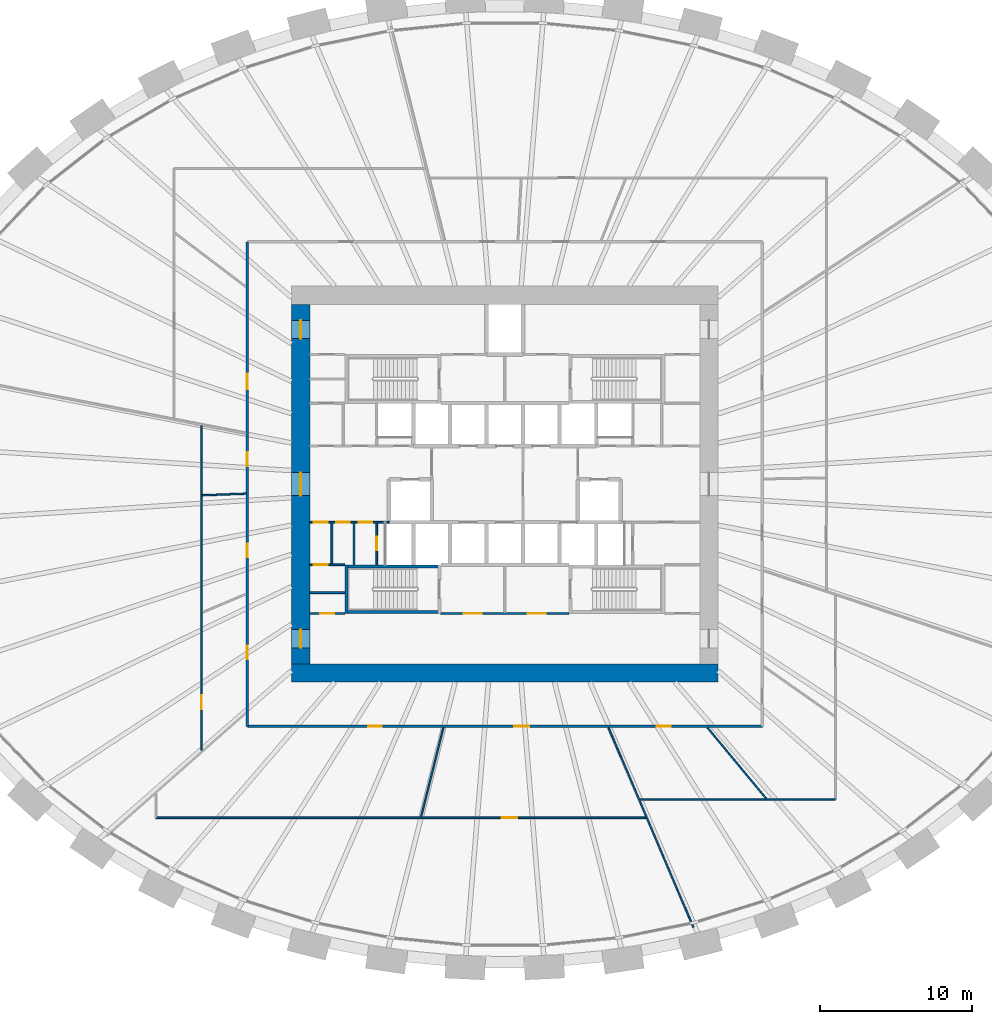
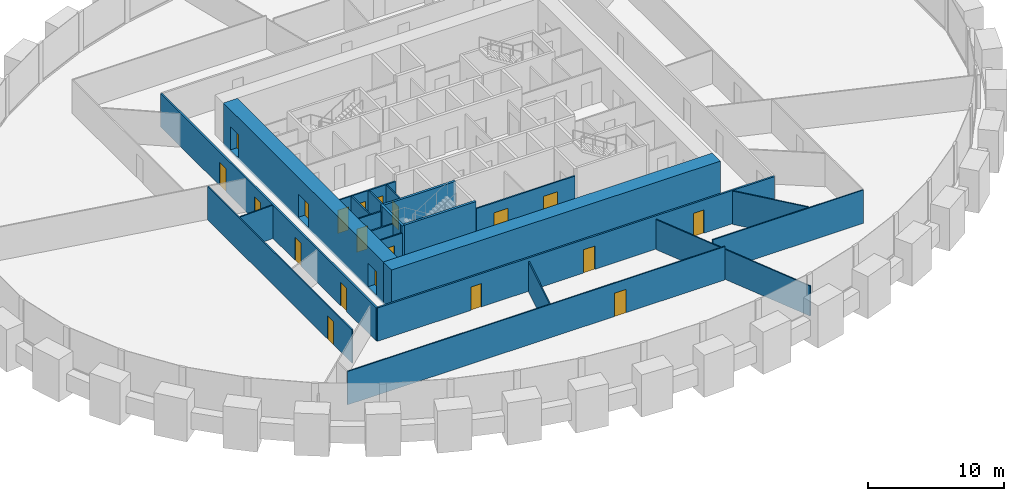
# One storey, part 6 of 10: 22 walls, 20 doors, 20 openings.
"""IFC4 building model written with IfcOpenShell, lengths in metres."""

from ifc_helpers import new_model, si_unit, direction, frame, frame_2d, origin, place, context, subcontext, project, spatial, rectangle, extrude, source, transform, mapped, material, layer, layer_set, type_object, element, fill, save


model = new_model("IFC4")

# Units and contexts
model_context = context("Model", 3, precision=1e-05, world=origin(), true_north=direction((0.0, 1.0)))
body_context = subcontext(model_context, "Body", "Model", "MODEL_VIEW")
ifc_project = project(units=[si_unit("LENGTHUNIT", "METRE"), si_unit("AREAUNIT", "SQUARE_METRE"), si_unit("VOLUMEUNIT", "CUBIC_METRE"), si_unit("PLANEANGLEUNIT", "RADIAN"), si_unit("MASSUNIT", "GRAM", prefix="KILO")], contexts=[model_context])

# Site, building, storey
site_placement = place(None, origin())
site = spatial("IfcSite", under=ifc_project, at=site_placement, CompositionType="ELEMENT")
building_placement = place(site_placement, origin())
building = spatial("IfcBuilding", under=site, at=building_placement, Name="Embergate Tower", CompositionType="ELEMENT")
storey_placement = place(building_placement, frame((0.0, 0.0, 97.10009765625)))
storey = spatial("IfcBuildingStorey", under=building, at=storey_placement, Name="L20", CompositionType="ELEMENT", Elevation=97.10009765625)

# Wall
ifc_material_1 = material(Name="Concrete C80", Category="concrete")
ifc_layer_1 = layer(ifc_material_1, 1.199951171875)
ifc_layer_set_1 = layer_set([ifc_layer_1], Name="Concrete C80")
wall_type_1 = type_object("IfcWallType", Name="Core outer wall C80 1200", PredefinedType="SHEAR", material=ifc_layer_set_1)
shared_shape_1 = source(origin(), body_context, "Body", "SweptSolid", [
    extrude(rectangle(XDim=28.0, YDim=1.199951171875, at=frame_2d((14.0, 0.0))), origin(), (0.0, 0.0, 1.0), 3.800048828125),
])
wall_1_placement = place(storey_placement, frame((-14.0, -12.39990234375, -0.2001953125), z_axis=(0.0, 0.0, 1.0), x_axis=(1.0, 0.0, 0.0)))
element("IfcWall", 1, at=wall_1_placement, inside=storey, type_object=wall_type_1, Name="CW-L20-S", PredefinedType="SHEAR", context=body_context, shape_type="MappedRepresentation", body=[
    mapped(shared_shape_1, transform((0.0, 0.0, 0.0))),
])

# Wall, openings, doors
shared_shape_2 = source(origin(), body_context, "Body", "SweptSolid", [
    extrude(rectangle(XDim=23.60009765625, YDim=1.199951171875, at=frame_2d((11.800048828125, 0.0))), origin(), (0.0, 0.0, 1.0), 3.800048828125),
])
wall_2_placement = place(storey_placement, frame((-13.39990234375, -11.800048828125, -0.2001953125), z_axis=(0.0, 0.0, 1.0), x_axis=(0.0, 1.0, 0.0)))
wall_2 = element("IfcWall", 2, at=wall_2_placement, inside=storey, type_object=wall_type_1, Name="CW-L20-W", PredefinedType="SHEAR", context=body_context, shape_type="MappedRepresentation", body=[
    mapped(shared_shape_2, transform((0.0, 0.0, 0.0))),
])
shared_shape_3 = source(origin(), body_context, "Body", "SweptSolid", [
    extrude(rectangle(XDim=1.199951171875, YDim=2.10009765625, at=frame_2d((0.60009765625, 1.050048828125))), frame((0.0, 0.60986328125, 0.0), z_axis=(0.0, -1.0, 0.0), x_axis=(1.0, 0.0, 0.0)), (0.0, 0.0, 1.0), 1.219970703125),
])
opening_1_placement = place(wall_2_placement, frame((21.35009765625, 0.0, 0.199951171875)))
opening_1 = element("IfcOpeningElement", 3, at=opening_1_placement, cuts=wall_2, Name="Opening IF-1", PredefinedType="OPENING", context=body_context, shape_type="MappedRepresentation", body=[
    mapped(shared_shape_3, transform((0.0, 0.0, 0.0))),
])
opening_2_placement = place(wall_2_placement, frame((1.050048828125, 0.0, 0.199951171875)))
opening_2 = element("IfcOpeningElement", 4, at=opening_2_placement, cuts=wall_2, Name="Opening IF-1", PredefinedType="OPENING", context=body_context, shape_type="MappedRepresentation", body=[
    mapped(shared_shape_3, transform((0.0, 0.0, 0.0))),
])
shared_shape_4 = source(origin(), body_context, "Body", "SweptSolid", [
    extrude(rectangle(XDim=1.5, YDim=2.10009765625, at=frame_2d((0.75, 1.050048828125))), frame((0.0, 0.60986328125, 0.0), z_axis=(0.0, -1.0, 0.0), x_axis=(1.0, 0.0, 0.0)), (0.0, 0.0, 1.0), 1.219970703125),
])
opening_3_placement = place(wall_2_placement, frame((11.050048828125, 0.0, 0.199951171875)))
opening_3 = element("IfcOpeningElement", 5, at=opening_3_placement, cuts=wall_2, Name="Opening IF-3", PredefinedType="OPENING", context=body_context, shape_type="MappedRepresentation", body=[
    mapped(shared_shape_4, transform((0.0, 0.0, 0.0))),
])
ifc_material_2 = material(Name="Escape fire door 1200")
door_type_1 = type_object("IfcDoorType", Name="Escape fire door 1200", OperationType="SINGLE_SWING_LEFT", PredefinedType="DOOR", material=ifc_material_2)
shared_shape_5 = source(origin(), body_context, "Body", "SweptSolid", [
    extrude(rectangle(XDim=1.199951171875, YDim=2.10009765625, at=frame_2d((0.60009765625, 1.050048828125))), frame((0.0, 0.02490234375, 0.0), z_axis=(0.0, -1.0, 0.0), x_axis=(1.0, 0.0, 0.0)), (0.0, 0.0, 1.0), 0.050048828125),
])
door_1_placement = place(opening_1_placement, origin())
door_1 = element("IfcDoor", 6, at=door_1_placement, inside=storey, type_object=door_type_1, Name="IF-1 door", OperationType="SINGLE_SWING_RIGHT", OverallHeight=2.10009765625, OverallWidth=1.199951171875, PredefinedType="DOOR", context=body_context, shape_type="MappedRepresentation", body=[
    mapped(shared_shape_5, transform((0.0, 0.0, 0.0))),
])
fill(opening_1, door_1)
door_2_placement = place(opening_2_placement, origin())
door_2 = element("IfcDoor", 7, at=door_2_placement, inside=storey, type_object=door_type_1, Name="IF-1 door", OperationType="SINGLE_SWING_RIGHT", OverallHeight=2.10009765625, OverallWidth=1.199951171875, PredefinedType="DOOR", context=body_context, shape_type="MappedRepresentation", body=[
    mapped(shared_shape_5, transform((0.0, 0.0, 0.0))),
])
fill(opening_2, door_2)
ifc_material_3 = material(Name="Lobby fire door pair 1500")
door_type_2 = type_object("IfcDoorType", Name="Lobby fire door pair 1500", OperationType="DOUBLE_DOOR_SINGLE_SWING", PredefinedType="DOOR", material=ifc_material_3)
shared_shape_6 = source(origin(), body_context, "Body", "SweptSolid", [
    extrude(rectangle(XDim=1.5, YDim=2.10009765625, at=frame_2d((0.75, 1.050048828125))), frame((0.0, 0.02490234375, 0.0), z_axis=(0.0, -1.0, 0.0), x_axis=(1.0, 0.0, 0.0)), (0.0, 0.0, 1.0), 0.050048828125),
])
door_3_placement = place(opening_3_placement, origin())
door_3 = element("IfcDoor", 8, at=door_3_placement, inside=storey, type_object=door_type_2, Name="IF-3 door", OperationType="DOUBLE_DOOR_SINGLE_SWING", OverallHeight=2.10009765625, OverallWidth=1.5, PredefinedType="DOOR", context=body_context, shape_type="MappedRepresentation", body=[
    mapped(shared_shape_6, transform((0.0, 0.0, 0.0))),
])
fill(opening_3, door_3)

# Wall, opening, door
ifc_material_4 = material(Name="Core partition blockwork 120")
ifc_layer_2 = layer(ifc_material_4, 0.1201171875)
ifc_layer_set_2 = layer_set([ifc_layer_2], Name="Core partition blockwork 120")
wall_type_2 = type_object("IfcWallType", Name="Core partition blockwork 120", PredefinedType="PARTITIONING", material=ifc_layer_set_2)
shared_shape_7 = source(origin(), body_context, "Body", "SweptSolid", [
    extrude(rectangle(XDim=2.739990234375, YDim=0.1201171875, at=frame_2d((1.3701171875, 0.0))), origin(), (0.0, 0.0, 1.0), 3.0),
])
wall_3_placement = place(storey_placement, frame((-8.39990234375, -2.56005859375, 0.0), z_axis=(0.0, 0.0, 1.0), x_axis=(0.0, -1.0, 0.0)))
wall_3 = element("IfcWall", 9, at=wall_3_placement, inside=storey, type_object=wall_type_2, Name="IP-3 wall", PredefinedType="PARTITIONING", context=body_context, shape_type="MappedRepresentation", body=[
    mapped(shared_shape_7, transform((0.0, 0.0, 0.0))),
])
shared_shape_8 = source(origin(), body_context, "Body", "SweptSolid", [
    extrude(rectangle(XDim=0.89990234375, YDim=2.10009765625, at=frame_2d((0.449951171875, 1.050048828125))), frame((0.0, 0.070068359375, 0.0), z_axis=(0.0, -1.0, 0.0), x_axis=(1.0, 0.0, 0.0)), (0.0, 0.0, 1.0), 0.14013671875),
])
opening_4_placement = place(wall_3_placement, frame((0.889892578125, 0.0, 0.0)))
opening_4 = element("IfcOpeningElement", 10, at=opening_4_placement, cuts=wall_3, Name="Opening ID-1", PredefinedType="OPENING", context=body_context, shape_type="MappedRepresentation", body=[
    mapped(shared_shape_8, transform((0.0, 0.0, 0.0))),
])
ifc_material_5 = material(Name="Interior door 900")
door_type_3 = type_object("IfcDoorType", Name="Interior door 900", OperationType="SINGLE_SWING_LEFT", PredefinedType="DOOR", material=ifc_material_5)
shared_shape_9 = source(origin(), body_context, "Body", "SweptSolid", [
    extrude(rectangle(XDim=0.89990234375, YDim=2.10009765625, at=frame_2d((0.449951171875, 1.050048828125))), frame((0.0, 0.02490234375, 0.0), z_axis=(0.0, -1.0, 0.0), x_axis=(1.0, 0.0, 0.0)), (0.0, 0.0, 1.0), 0.050048828125),
])
door_4_placement = place(opening_4_placement, origin())
door_4 = element("IfcDoor", 11, at=door_4_placement, inside=storey, type_object=door_type_3, Name="ID-1 door", OperationType="SINGLE_SWING_RIGHT", OverallHeight=2.10009765625, OverallWidth=0.89990234375, PredefinedType="DOOR", context=body_context, shape_type="MappedRepresentation", body=[
    mapped(shared_shape_9, transform((0.0, 0.0, 0.0))),
])
fill(opening_4, door_4)

# Wall
wall_4_placement = place(storey_placement, frame((-9.89599609375, -5.300048828125, 0.0), z_axis=(0.0, 0.0, 1.0), x_axis=(0.0, 1.0, 0.0)))
element("IfcWall", 12, at=wall_4_placement, inside=storey, type_object=wall_type_2, Name="IP-3 wall", PredefinedType="PARTITIONING", context=body_context, shape_type="MappedRepresentation", body=[
    mapped(shared_shape_7, transform((0.0, 0.0, 0.0))),
])

# Wall, openings, doors
shared_shape_10 = source(origin(), body_context, "Body", "SweptSolid", [
    extrude(rectangle(XDim=5.199951171875, YDim=0.1201171875, at=frame_2d((2.60009765625, 0.0))), origin(), (0.0, 0.0, 1.0), 3.0),
])
wall_5_placement = place(storey_placement, frame((-7.60009765625, -2.5, 0.0), z_axis=(0.0, 0.0, 1.0), x_axis=(-1.0, 0.0, 0.0)))
wall_5 = element("IfcWall", 13, at=wall_5_placement, inside=storey, type_object=wall_type_2, Name="IP-3 wall", PredefinedType="PARTITIONING", context=body_context, shape_type="MappedRepresentation", body=[
    mapped(shared_shape_10, transform((0.0, 0.0, 0.0))),
])
opening_5_placement = place(wall_5_placement, frame((4.02392578125, 0.0, 0.0)))
opening_5 = element("IfcOpeningElement", 14, at=opening_5_placement, cuts=wall_5, Name="Opening ID-1", PredefinedType="OPENING", context=body_context, shape_type="MappedRepresentation", body=[
    mapped(shared_shape_8, transform((0.0, 0.0, 0.0))),
])
opening_6_placement = place(wall_5_placement, frame((2.572021484375, 0.0, 0.0)))
opening_6 = element("IfcOpeningElement", 15, at=opening_6_placement, cuts=wall_5, Name="Opening ID-1", PredefinedType="OPENING", context=body_context, shape_type="MappedRepresentation", body=[
    mapped(shared_shape_8, transform((0.0, 0.0, 0.0))),
])
opening_7_placement = place(wall_5_placement, frame((1.097900390625, 0.0, 0.0)))
opening_7 = element("IfcOpeningElement", 16, at=opening_7_placement, cuts=wall_5, Name="Opening ID-1", PredefinedType="OPENING", context=body_context, shape_type="MappedRepresentation", body=[
    mapped(shared_shape_8, transform((0.0, 0.0, 0.0))),
])
door_5_placement = place(opening_5_placement, origin())
door_5 = element("IfcDoor", 17, at=door_5_placement, inside=storey, type_object=door_type_3, Name="ID-1 door", OperationType="SINGLE_SWING_RIGHT", OverallHeight=2.10009765625, OverallWidth=0.89990234375, PredefinedType="DOOR", context=body_context, shape_type="MappedRepresentation", body=[
    mapped(shared_shape_9, transform((0.0, 0.0, 0.0))),
])
fill(opening_5, door_5)
door_6_placement = place(opening_6_placement, origin())
door_6 = element("IfcDoor", 18, at=door_6_placement, inside=storey, type_object=door_type_3, Name="ID-1 door", OperationType="SINGLE_SWING_LEFT", OverallHeight=2.10009765625, OverallWidth=0.89990234375, PredefinedType="DOOR", context=body_context, shape_type="MappedRepresentation", body=[
    mapped(shared_shape_9, transform((0.0, 0.0, 0.0))),
])
fill(opening_6, door_6)
door_7_placement = place(opening_7_placement, origin())
door_7 = element("IfcDoor", 19, at=door_7_placement, inside=storey, type_object=door_type_3, Name="ID-1 door", OperationType="SINGLE_SWING_LEFT", OverallHeight=2.10009765625, OverallWidth=0.89990234375, PredefinedType="DOOR", context=body_context, shape_type="MappedRepresentation", body=[
    mapped(shared_shape_9, transform((0.0, 0.0, 0.0))),
])
fill(opening_7, door_7)

shared_shape_11 = source(origin(), body_context, "Body", "SweptSolid", [
    extrude(rectangle(XDim=8.39990234375, YDim=0.1201171875, at=frame_2d((4.199951171875, 0.0))), origin(), (0.0, 0.0, 1.0), 3.0),
])
wall_6_placement = place(storey_placement, frame((-4.199951171875, -8.5, 0.0), z_axis=(0.0, 0.0, 1.0), x_axis=(1.0, 0.0, 0.0)))
wall_6 = element("IfcWall", 20, at=wall_6_placement, inside=storey, type_object=wall_type_2, Name="IP-3 wall", PredefinedType="PARTITIONING", context=body_context, shape_type="MappedRepresentation", body=[
    mapped(shared_shape_11, transform((0.0, 0.0, 0.0))),
])
shared_shape_12 = source(origin(), body_context, "Body", "SweptSolid", [
    extrude(rectangle(XDim=1.199951171875, YDim=2.10009765625, at=frame_2d((0.60009765625, 1.050048828125))), frame((0.0, 0.070068359375, 0.0), z_axis=(0.0, -1.0, 0.0), x_axis=(1.0, 0.0, 0.0)), (0.0, 0.0, 1.0), 0.14013671875),
])
opening_8_placement = place(wall_6_placement, frame((1.5, 0.0, 0.0)))
opening_8 = element("IfcOpeningElement", 21, at=opening_8_placement, cuts=wall_6, Name="Opening IF-3f", PredefinedType="OPENING", context=body_context, shape_type="MappedRepresentation", body=[
    mapped(shared_shape_12, transform((0.0, 0.0, 0.0))),
])
opening_9_placement = place(wall_6_placement, frame((5.699951171875, 0.0, 0.0)))
opening_9 = element("IfcOpeningElement", 22, at=opening_9_placement, cuts=wall_6, Name="Opening IF-3f", PredefinedType="OPENING", context=body_context, shape_type="MappedRepresentation", body=[
    mapped(shared_shape_12, transform((0.0, 0.0, 0.0))),
])
ifc_material_6 = material(Name="Lobby fire door pair 1200")
door_type_4 = type_object("IfcDoorType", Name="Lobby fire door pair 1200", OperationType="DOUBLE_DOOR_SINGLE_SWING", PredefinedType="DOOR", material=ifc_material_6)
door_8_placement = place(opening_8_placement, origin())
door_8 = element("IfcDoor", 23, at=door_8_placement, inside=storey, type_object=door_type_4, Name="IF-3 door", OperationType="DOUBLE_DOOR_SINGLE_SWING", OverallHeight=2.10009765625, OverallWidth=1.199951171875, PredefinedType="DOOR", context=body_context, shape_type="MappedRepresentation", body=[
    mapped(shared_shape_5, transform((0.0, 0.0, 0.0))),
])
fill(opening_8, door_8)
door_9_placement = place(opening_9_placement, origin())
door_9 = element("IfcDoor", 24, at=door_9_placement, inside=storey, type_object=door_type_4, Name="IF-3 door", OperationType="DOUBLE_DOOR_SINGLE_SWING", OverallHeight=2.10009765625, OverallWidth=1.199951171875, PredefinedType="DOOR", context=body_context, shape_type="MappedRepresentation", body=[
    mapped(shared_shape_5, transform((0.0, 0.0, 0.0))),
])
fill(opening_9, door_9)

# Wall, opening, door
shared_shape_13 = source(origin(), body_context, "Body", "SweptSolid", [
    extrude(rectangle(XDim=2.300048828125, YDim=0.1201171875, at=frame_2d((1.14990234375, 0.0))), origin(), (0.0, 0.0, 1.0), 3.0),
])
wall_7_placement = place(storey_placement, frame((-10.5, -8.5, 0.0), z_axis=(0.0, 0.0, 1.0), x_axis=(-1.0, 0.0, 0.0)))
wall_7 = element("IfcWall", 25, at=wall_7_placement, inside=storey, type_object=wall_type_2, Name="IP-3 wall", PredefinedType="PARTITIONING", context=body_context, shape_type="MappedRepresentation", body=[
    mapped(shared_shape_13, transform((0.0, 0.0, 0.0))),
])
opening_10_placement = place(wall_7_placement, frame((0.699951171875, 0.0, 0.0)))
opening_10 = element("IfcOpeningElement", 26, at=opening_10_placement, cuts=wall_7, Name="Opening ID-1", PredefinedType="OPENING", context=body_context, shape_type="MappedRepresentation", body=[
    mapped(shared_shape_8, transform((0.0, 0.0, 0.0))),
])
door_10_placement = place(opening_10_placement, origin())
door_10 = element("IfcDoor", 27, at=door_10_placement, inside=storey, type_object=door_type_3, Name="ID-1 door", OperationType="SINGLE_SWING_RIGHT", OverallHeight=2.10009765625, OverallWidth=0.89990234375, PredefinedType="DOOR", context=body_context, shape_type="MappedRepresentation", body=[
    mapped(shared_shape_9, transform((0.0, 0.0, 0.0))),
])
fill(opening_10, door_10)

wall_8_placement = place(storey_placement, frame((-12.800048828125, -5.300048828125, 0.0), z_axis=(0.0, 0.0, 1.0), x_axis=(1.0, 0.0, 0.0)))
wall_8 = element("IfcWall", 28, at=wall_8_placement, inside=storey, type_object=wall_type_2, Name="IP-3 wall", PredefinedType="PARTITIONING", context=body_context, shape_type="MappedRepresentation", body=[
    mapped(shared_shape_13, transform((0.0, 0.0, 0.0))),
])
opening_11_placement = place(wall_8_placement, frame((0.27587890625, 0.0, 0.0)))
opening_11 = element("IfcOpeningElement", 29, at=opening_11_placement, cuts=wall_8, Name="Opening ID-1", PredefinedType="OPENING", context=body_context, shape_type="MappedRepresentation", body=[
    mapped(shared_shape_8, transform((0.0, 0.0, 0.0))),
])
door_11_placement = place(opening_11_placement, origin())
door_11 = element("IfcDoor", 30, at=door_11_placement, inside=storey, type_object=door_type_3, Name="ID-1 door", OperationType="SINGLE_SWING_LEFT", OverallHeight=2.10009765625, OverallWidth=0.89990234375, PredefinedType="DOOR", context=body_context, shape_type="MappedRepresentation", body=[
    mapped(shared_shape_9, transform((0.0, 0.0, 0.0))),
])
fill(opening_11, door_11)

# Walls
wall_9_placement = place(storey_placement, frame((-10.5, -7.1240234375, 0.0), z_axis=(0.0, 0.0, 1.0), x_axis=(-1.0, 0.0, 0.0)))
element("IfcWall", 31, at=wall_9_placement, inside=storey, type_object=wall_type_2, Name="IP-3 wall", PredefinedType="PARTITIONING", context=body_context, shape_type="MappedRepresentation", body=[
    mapped(shared_shape_13, transform((0.0, 0.0, 0.0))),
])
shared_shape_14 = source(origin(), body_context, "Body", "SweptSolid", [
    extrude(rectangle(XDim=2.679931640625, YDim=0.1201171875, at=frame_2d((1.33984375, 0.0))), origin(), (0.0, 0.0, 1.0), 3.0),
])
wall_10_placement = place(storey_placement, frame((-11.347900390625, -5.239990234375, 0.0), z_axis=(0.0, 0.0, 1.0), x_axis=(0.0, 1.0, 0.0)))
element("IfcWall", 32, at=wall_10_placement, inside=storey, type_object=wall_type_2, Name="IP-3 wall", PredefinedType="PARTITIONING", context=body_context, shape_type="MappedRepresentation", body=[
    mapped(shared_shape_14, transform((0.0, 0.0, 0.0))),
])

# Wall, openings, doors
ifc_material_7 = material(Name="Corridor wall dry-lined 150")
ifc_layer_3 = layer(ifc_material_7, 0.14990234375)
ifc_layer_set_3 = layer_set([ifc_layer_3], Name="Corridor wall dry-lined 150")
wall_type_3 = type_object("IfcWallType", Name="Corridor wall dry-lined 150", PredefinedType="PARTITIONING", material=ifc_layer_set_3)
shared_shape_15 = source(origin(), body_context, "Body", "SweptSolid", [
    extrude(rectangle(XDim=33.7998046875, YDim=0.14990234375, at=frame_2d((16.89990234375, 0.0))), origin(), (0.0, 0.0, 1.0), 3.0),
])
wall_11_placement = place(storey_placement, frame((16.89990234375, -15.89990234375, 0.0), z_axis=(0.0, 0.0, 1.0), x_axis=(-1.0, 0.0, 0.0)))
wall_11 = element("IfcWall", 33, at=wall_11_placement, inside=storey, type_object=wall_type_3, Name="IP-2 wall", PredefinedType="PARTITIONING", context=body_context, shape_type="MappedRepresentation", body=[
    mapped(shared_shape_15, transform((0.0, 0.0, 0.0))),
])
shared_shape_16 = source(origin(), body_context, "Body", "SweptSolid", [
    extrude(rectangle(XDim=0.89990234375, YDim=2.10009765625, at=frame_2d((0.449951171875, 1.050048828125))), frame((0.0, 0.0849609375, 0.0), z_axis=(0.0, -1.0, 0.0), x_axis=(1.0, 0.0, 0.0)), (0.0, 0.0, 1.0), 0.169921875),
])
opening_12_placement = place(wall_11_placement, frame((24.965087890625, 0.0, 0.0)))
opening_12 = element("IfcOpeningElement", 34, at=opening_12_placement, cuts=wall_11, Name="Opening IF-1c", PredefinedType="OPENING", context=body_context, shape_type="MappedRepresentation", body=[
    mapped(shared_shape_16, transform((0.0, 0.0, 0.0))),
])
shared_shape_17 = source(origin(), body_context, "Body", "SweptSolid", [
    extrude(rectangle(XDim=1.0, YDim=2.10009765625, at=frame_2d((0.5, 1.050048828125))), frame((0.0, 0.0849609375, 0.0), z_axis=(0.0, -1.0, 0.0), x_axis=(1.0, 0.0, 0.0)), (0.0, 0.0, 1.0), 0.169921875),
])
opening_13_placement = place(wall_11_placement, frame((15.2939453125, 0.0, 0.0)))
opening_13 = element("IfcOpeningElement", 35, at=opening_13_placement, cuts=wall_11, Name="Opening ID-2", PredefinedType="OPENING", context=body_context, shape_type="MappedRepresentation", body=[
    mapped(shared_shape_17, transform((0.0, 0.0, 0.0))),
])
opening_14_placement = place(wall_11_placement, frame((6.012939453125, 0.0, 0.0)))
opening_14 = element("IfcOpeningElement", 36, at=opening_14_placement, cuts=wall_11, Name="Opening IF-1c", PredefinedType="OPENING", context=body_context, shape_type="MappedRepresentation", body=[
    mapped(shared_shape_16, transform((0.0, 0.0, 0.0))),
])
ifc_material_8 = material(Name="Escape fire door 900")
door_type_5 = type_object("IfcDoorType", Name="Escape fire door 900", OperationType="SINGLE_SWING_LEFT", PredefinedType="DOOR", material=ifc_material_8)
door_12_placement = place(opening_12_placement, origin())
door_12 = element("IfcDoor", 37, at=door_12_placement, inside=storey, type_object=door_type_5, Name="IF-1 door", OperationType="SINGLE_SWING_RIGHT", OverallHeight=2.10009765625, OverallWidth=0.89990234375, PredefinedType="DOOR", context=body_context, shape_type="MappedRepresentation", body=[
    mapped(shared_shape_9, transform((0.0, 0.0, 0.0))),
])
fill(opening_12, door_12)
door_13_placement = place(opening_14_placement, origin())
door_13 = element("IfcDoor", 38, at=door_13_placement, inside=storey, type_object=door_type_5, Name="IF-1 door", OperationType="SINGLE_SWING_RIGHT", OverallHeight=2.10009765625, OverallWidth=0.89990234375, PredefinedType="DOOR", context=body_context, shape_type="MappedRepresentation", body=[
    mapped(shared_shape_9, transform((0.0, 0.0, 0.0))),
])
fill(opening_14, door_13)
ifc_material_9 = material(Name="Interior door 1000")
door_type_6 = type_object("IfcDoorType", Name="Interior door 1000", OperationType="SINGLE_SWING_LEFT", PredefinedType="DOOR", material=ifc_material_9)
shared_shape_18 = source(origin(), body_context, "Body", "SweptSolid", [
    extrude(rectangle(XDim=1.0, YDim=2.10009765625, at=frame_2d((0.5, 1.050048828125))), frame((0.0, 0.02490234375, 0.0), z_axis=(0.0, -1.0, 0.0), x_axis=(1.0, 0.0, 0.0)), (0.0, 0.0, 1.0), 0.050048828125),
])
door_14_placement = place(opening_13_placement, origin())
door_14 = element("IfcDoor", 39, at=door_14_placement, inside=storey, type_object=door_type_6, Name="ID-2 door", OperationType="SINGLE_SWING_LEFT", OverallHeight=2.10009765625, OverallWidth=1.0, PredefinedType="DOOR", context=body_context, shape_type="MappedRepresentation", body=[
    mapped(shared_shape_18, transform((0.0, 0.0, 0.0))),
])
fill(opening_13, door_14)

shared_shape_19 = source(origin(), body_context, "Body", "SweptSolid", [
    extrude(rectangle(XDim=31.7998046875, YDim=0.14990234375, at=frame_2d((15.89990234375, 0.0))), origin(), (0.0, 0.0, 1.0), 3.0),
])
wall_12_placement = place(storey_placement, frame((-16.89990234375, -15.89990234375, 0.0), z_axis=(0.0, 0.0, 1.0), x_axis=(0.0, 1.0, 0.0)))
wall_12 = element("IfcWall", 40, at=wall_12_placement, inside=storey, type_object=wall_type_3, Name="IP-2 wall", PredefinedType="PARTITIONING", context=body_context, shape_type="MappedRepresentation", body=[
    mapped(shared_shape_19, transform((0.0, 0.0, 0.0))),
])
opening_15_placement = place(wall_12_placement, frame((22.133056640625, 0.0, 0.0)))
opening_15 = element("IfcOpeningElement", 41, at=opening_15_placement, cuts=wall_12, Name="Opening ID-2", PredefinedType="OPENING", context=body_context, shape_type="MappedRepresentation", body=[
    mapped(shared_shape_17, transform((0.0, 0.0, 0.0))),
])
opening_16_placement = place(wall_12_placement, frame((17.0791015625, 0.0, 0.0)))
opening_16 = element("IfcOpeningElement", 42, at=opening_16_placement, cuts=wall_12, Name="Opening IF-1c", PredefinedType="OPENING", context=body_context, shape_type="MappedRepresentation", body=[
    mapped(shared_shape_16, transform((0.0, 0.0, 0.0))),
])
opening_17_placement = place(wall_12_placement, frame((11.094970703125, 0.0, 0.0)))
opening_17 = element("IfcOpeningElement", 43, at=opening_17_placement, cuts=wall_12, Name="Opening IF-1c", PredefinedType="OPENING", context=body_context, shape_type="MappedRepresentation", body=[
    mapped(shared_shape_16, transform((0.0, 0.0, 0.0))),
])
opening_18_placement = place(wall_12_placement, frame((4.389892578125, 0.0, 0.0)))
opening_18 = element("IfcOpeningElement", 44, at=opening_18_placement, cuts=wall_12, Name="Opening IF-1c", PredefinedType="OPENING", context=body_context, shape_type="MappedRepresentation", body=[
    mapped(shared_shape_16, transform((0.0, 0.0, 0.0))),
])
door_15_placement = place(opening_16_placement, origin())
door_15 = element("IfcDoor", 45, at=door_15_placement, inside=storey, type_object=door_type_5, Name="IF-1 door", OperationType="SINGLE_SWING_RIGHT", OverallHeight=2.10009765625, OverallWidth=0.89990234375, PredefinedType="DOOR", context=body_context, shape_type="MappedRepresentation", body=[
    mapped(shared_shape_9, transform((0.0, 0.0, 0.0))),
])
fill(opening_16, door_15)
door_16_placement = place(opening_17_placement, origin())
door_16 = element("IfcDoor", 46, at=door_16_placement, inside=storey, type_object=door_type_5, Name="IF-1 door", OperationType="SINGLE_SWING_RIGHT", OverallHeight=2.10009765625, OverallWidth=0.89990234375, PredefinedType="DOOR", context=body_context, shape_type="MappedRepresentation", body=[
    mapped(shared_shape_9, transform((0.0, 0.0, 0.0))),
])
fill(opening_17, door_16)
door_17_placement = place(opening_18_placement, origin())
door_17 = element("IfcDoor", 47, at=door_17_placement, inside=storey, type_object=door_type_5, Name="IF-1 door", OperationType="SINGLE_SWING_RIGHT", OverallHeight=2.10009765625, OverallWidth=0.89990234375, PredefinedType="DOOR", context=body_context, shape_type="MappedRepresentation", body=[
    mapped(shared_shape_9, transform((0.0, 0.0, 0.0))),
])
fill(opening_18, door_17)
door_18_placement = place(opening_15_placement, origin())
door_18 = element("IfcDoor", 48, at=door_18_placement, inside=storey, type_object=door_type_6, Name="ID-2 door", OperationType="SINGLE_SWING_LEFT", OverallHeight=2.10009765625, OverallWidth=1.0, PredefinedType="DOOR", context=body_context, shape_type="MappedRepresentation", body=[
    mapped(shared_shape_18, transform((0.0, 0.0, 0.0))),
])
fill(opening_15, door_18)

# Wall
ifc_material_10 = material(Name="Partition dry-lined 100")
ifc_layer_4 = layer(ifc_material_10, 0.10009765625)
ifc_layer_set_4 = layer_set([ifc_layer_4], Name="Partition dry-lined 100")
wall_type_4 = type_object("IfcWallType", Name="Partition dry-lined 100", PredefinedType="PARTITIONING", material=ifc_layer_set_4)
shared_shape_20 = source(origin(), body_context, "Body", "SweptSolid", [
    extrude(rectangle(XDim=6.033447265625, YDim=0.10009765625, at=frame_2d((3.0166015625, 0.0))), origin(), (0.0, 0.0, 1.0), 2.699951171875),
])
wall_13_placement = place(storey_placement, frame((-4.02587890625, -15.987060546875, 0.0), z_axis=(0.0, 0.0, 1.0), x_axis=(-0.244163388528, -0.969734107734, 0.0)))
element("IfcWall", 49, at=wall_13_placement, inside=storey, type_object=wall_type_4, Name="IP-1 wall", PredefinedType="PARTITIONING", context=body_context, shape_type="MappedRepresentation", body=[
    mapped(shared_shape_20, transform((0.0, 0.0, 0.0))),
])

# Wall, opening, door
shared_shape_21 = source(origin(), body_context, "Body", "SweptSolid", [
    extrude(rectangle(XDim=32.142822265625, YDim=0.10009765625, at=frame_2d((16.0712890625, 0.0))), origin(), (0.0, 0.0, 1.0), 3.0),
])
wall_14_placement = place(storey_placement, frame((9.242919921875, -21.89990234375, 0.0), z_axis=(0.0, 0.0, 1.0), x_axis=(-1.0, 0.0, 0.0)))
wall_14 = element("IfcWall", 50, at=wall_14_placement, inside=storey, type_object=wall_type_4, Name="IP-1 wall", PredefinedType="PARTITIONING", context=body_context, shape_type="MappedRepresentation", body=[
    mapped(shared_shape_21, transform((0.0, 0.0, 0.0))),
])
shared_shape_22 = source(origin(), body_context, "Body", "SweptSolid", [
    extrude(rectangle(XDim=1.0, YDim=2.10009765625, at=frame_2d((0.5, 1.050048828125))), frame((0.0, 0.06005859375, 0.0), z_axis=(0.0, -1.0, 0.0), x_axis=(1.0, 0.0, 0.0)), (0.0, 0.0, 1.0), 0.1201171875),
])
opening_19_placement = place(wall_14_placement, frame((8.4287109375, 0.0, 0.0)))
opening_19 = element("IfcOpeningElement", 51, at=opening_19_placement, cuts=wall_14, Name="Opening ID-2", PredefinedType="OPENING", context=body_context, shape_type="MappedRepresentation", body=[
    mapped(shared_shape_22, transform((0.0, 0.0, 0.0))),
])
door_19_placement = place(opening_19_placement, origin())
door_19 = element("IfcDoor", 52, at=door_19_placement, inside=storey, type_object=door_type_6, Name="ID-2 door", OperationType="SINGLE_SWING_LEFT", OverallHeight=2.10009765625, OverallWidth=1.0, PredefinedType="DOOR", context=body_context, shape_type="MappedRepresentation", body=[
    mapped(shared_shape_18, transform((0.0, 0.0, 0.0))),
])
fill(opening_19, door_19)

# Walls
shared_shape_23 = source(origin(), body_context, "Body", "SweptSolid", [
    extrude(rectangle(XDim=14.2275390625, YDim=0.10009765625, at=frame_2d((7.11376953125, 0.0))), origin(), (0.0, 0.0, 1.0), 2.699951171875),
])
wall_15_placement = place(storey_placement, frame((6.805908203125, -15.9951171875, 0.0), z_axis=(0.0, 0.0, 1.0), x_axis=(0.391501066281, -0.920177654098, 0.0)))
element("IfcWall", 53, at=wall_15_placement, inside=storey, type_object=wall_type_4, Name="IP-1 wall", PredefinedType="PARTITIONING", context=body_context, shape_type="MappedRepresentation", body=[
    mapped(shared_shape_23, transform((0.0, 0.0, 0.0))),
])
shared_shape_24 = source(origin(), body_context, "Body", "SweptSolid", [
    extrude(rectangle(XDim=5.99609375, YDim=0.10009765625, at=frame_2d((2.998046875, 0.0))), origin(), (0.0, 0.0, 1.0), 3.0),
])
wall_16_placement = place(storey_placement, frame((13.305908203125, -16.007080078125, 0.0), z_axis=(0.0, 0.0, 1.0), x_axis=(0.639262792271, -0.768988349989, 0.0)))
element("IfcWall", 54, at=wall_16_placement, inside=storey, type_object=wall_type_4, Name="IP-1 wall", PredefinedType="PARTITIONING", context=body_context, shape_type="MappedRepresentation", body=[
    mapped(shared_shape_24, transform((0.0, 0.0, 0.0))),
])
shared_shape_25 = source(origin(), body_context, "Body", "SweptSolid", [
    extrude(rectangle(XDim=12.81689453125, YDim=0.10009765625, at=frame_2d((6.408447265625, 0.0))), origin(), (0.0, 0.0, 1.0), 3.0),
])
wall_17_placement = place(storey_placement, frame((21.699951171875, -20.699951171875, 0.0), z_axis=(0.0, 0.0, 1.0), x_axis=(-1.0, 0.0, 0.0)))
element("IfcWall", 55, at=wall_17_placement, inside=storey, type_object=wall_type_4, Name="IP-1 wall", PredefinedType="PARTITIONING", context=body_context, shape_type="MappedRepresentation", body=[
    mapped(shared_shape_25, transform((0.0, 0.0, 0.0))),
])
ifc_material_11 = material(Name="Partition dry-lined 100 wet")
ifc_layer_5 = layer(ifc_material_11, 0.10009765625)
ifc_layer_set_5 = layer_set([ifc_layer_5], Name="Partition dry-lined 100 wet")
wall_type_5 = type_object("IfcWallType", Name="Partition dry-lined 100 wet", PredefinedType="PLUMBINGWALL", material=ifc_layer_set_5)
shared_shape_26 = source(origin(), body_context, "Body", "SweptSolid", [
    extrude(rectangle(XDim=2.876953125, YDim=0.10009765625, at=frame_2d((1.4384765625, 0.0))), origin(), (0.0, 0.0, 1.0), 3.0),
])
wall_18_placement = place(storey_placement, frame((-16.97509765625, -0.6279296875, 0.0), z_axis=(0.0, 0.0, 1.0), x_axis=(-0.999305853606, -0.037253334726, 0.0)))
element("IfcWall", 56, at=wall_18_placement, inside=storey, type_object=wall_type_5, Name="IP-1 wall", PredefinedType="PLUMBINGWALL", context=body_context, shape_type="MappedRepresentation", body=[
    mapped(shared_shape_26, transform((0.0, 0.0, 0.0))),
])

# Wall, opening, door
shared_shape_27 = source(origin(), body_context, "Body", "SweptSolid", [
    extrude(rectangle(XDim=21.31201171875, YDim=0.10009765625, at=frame_2d((10.656005859375, 0.0))), origin(), (0.0, 0.0, 1.0), 3.0),
])
wall_19_placement = place(storey_placement, frame((-19.89990234375, -17.485107421875, 0.0), z_axis=(0.0, 0.0, 1.0), x_axis=(0.0, 1.0, 0.0)))
wall_19 = element("IfcWall", 57, at=wall_19_placement, inside=storey, type_object=wall_type_5, Name="IP-1 wall", PredefinedType="PLUMBINGWALL", context=body_context, shape_type="MappedRepresentation", body=[
    mapped(shared_shape_27, transform((0.0, 0.0, 0.0))),
])
shared_shape_28 = source(origin(), body_context, "Body", "SweptSolid", [
    extrude(rectangle(XDim=0.89990234375, YDim=2.10009765625, at=frame_2d((0.449951171875, 1.050048828125))), frame((0.0, 0.06005859375, 0.0), z_axis=(0.0, -1.0, 0.0), x_axis=(1.0, 0.0, 0.0)), (0.0, 0.0, 1.0), 0.1201171875),
])
opening_20_placement = place(wall_19_placement, frame((2.7119140625, 0.0, 0.0)))
opening_20 = element("IfcOpeningElement", 58, at=opening_20_placement, cuts=wall_19, Name="Opening ID-1", PredefinedType="OPENING", context=body_context, shape_type="MappedRepresentation", body=[
    mapped(shared_shape_28, transform((0.0, 0.0, 0.0))),
])
door_20_placement = place(opening_20_placement, origin())
door_20 = element("IfcDoor", 59, at=door_20_placement, inside=storey, type_object=door_type_3, Name="ID-1 door", OperationType="SINGLE_SWING_RIGHT", OverallHeight=2.10009765625, OverallWidth=0.89990234375, PredefinedType="DOOR", context=body_context, shape_type="MappedRepresentation", body=[
    mapped(shared_shape_9, transform((0.0, 0.0, 0.0))),
])
fill(opening_20, door_20)

# Walls
ifc_material_12 = material(Name="Concrete C50", Category="concrete")
ifc_layer_6 = layer(ifc_material_12, 0.199951171875)
ifc_layer_set_6 = layer_set([ifc_layer_6], Name="Concrete C50")
wall_type_6 = type_object("IfcWallType", Name="Stair enclosure wall reinforced concrete 250", PredefinedType="SHEAR", material=ifc_layer_set_6)
shared_shape_29 = source(origin(), body_context, "Body", "SweptSolid", [
    extrude(rectangle(XDim=6.300048828125, YDim=0.199951171875, at=frame_2d((3.14990234375, 0.0))), origin(), (0.0, 0.0, 1.0), 3.599853515625),
])
for number, where, z_axis, x_axis, name in (
    (60, (-10.5, -5.39990234375, 0.0), (0.0, 0.0, 1.0), (1.0, 0.0, 0.0), "SE-1 wall"),
    (61, (-10.5, -8.39990234375, 0.0), (0.0, 0.0, 1.0), (1.0, 0.0, 0.0), "SE-1 wall"),
):
    element("IfcWall", number, at=place(storey_placement, frame(where, z_axis=z_axis, x_axis=x_axis)), inside=storey, type_object=wall_type_6, Name=name, PredefinedType="SHEAR", context=body_context, shape_type="MappedRepresentation", body=[
        mapped(shared_shape_29, transform((0.0, 0.0, 0.0))),
    ])
shared_shape_30 = source(origin(), body_context, "Body", "SweptSolid", [
    extrude(rectangle(XDim=3.199951171875, YDim=0.199951171875, at=frame_2d((1.60009765625, 0.0))), origin(), (0.0, 0.0, 1.0), 3.599853515625),
])
wall_20_placement = place(storey_placement, frame((-10.39990234375, -5.300048828125, 0.0), z_axis=(0.0, 0.0, 1.0), x_axis=(0.0, -1.0, 0.0)))
element("IfcWall", 62, at=wall_20_placement, inside=storey, type_object=wall_type_6, Name="SE-1 wall", PredefinedType="SHEAR", context=body_context, shape_type="MappedRepresentation", body=[
    mapped(shared_shape_30, transform((0.0, 0.0, 0.0))),
])

save(model, "model.ifc")
